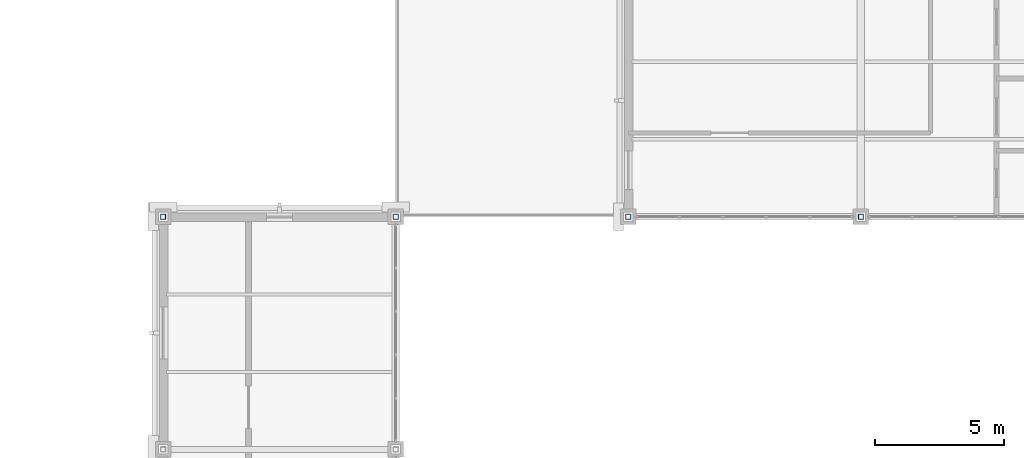
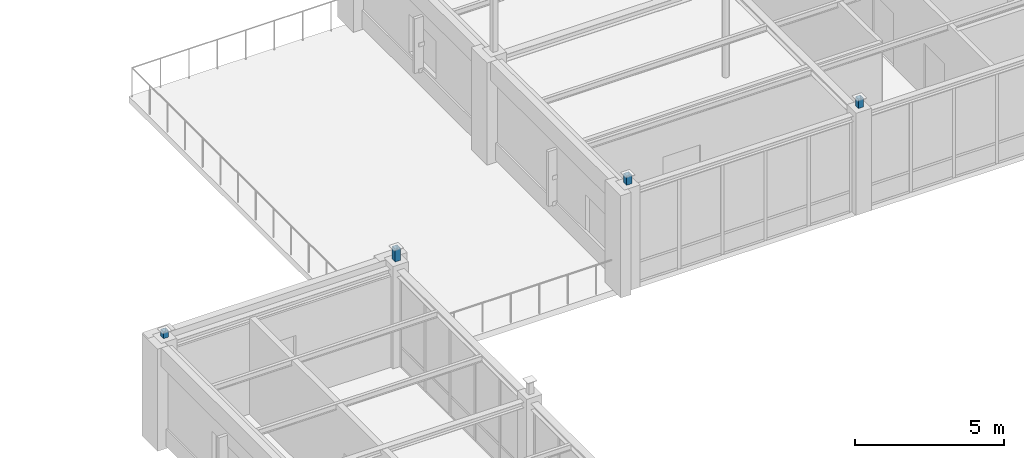
# One storey, part 69 of 97: 4 members.
"""IFC4 building model written with IfcOpenShell, lengths in metres."""

from ifc_helpers import new_model, si_unit, direction, frame, origin, origin_2d, place, context, subcontext, project, spatial, hollow_rectangle, extrude, material, material_profile, profile_set, type_object, element, save


model = new_model("IFC4")

# Units and contexts
model_context = context("Model", 3, precision=1e-05, world=origin(), true_north=direction((0.0, 1.0)))
body_context = subcontext(model_context, "Body", "Model", "MODEL_VIEW")
ifc_project = project(units=[si_unit("LENGTHUNIT", "METRE"), si_unit("AREAUNIT", "SQUARE_METRE"), si_unit("VOLUMEUNIT", "CUBIC_METRE"), si_unit("PLANEANGLEUNIT", "RADIAN"), si_unit("MASSUNIT", "GRAM", prefix="KILO")], contexts=[model_context])

# Site, building, storey
site_placement = place(None, origin())
site = spatial("IfcSite", under=ifc_project, at=site_placement, CompositionType="ELEMENT")
building_placement = place(site_placement, origin())
building = spatial("IfcBuilding", under=site, at=building_placement, Name="Lykobir Media Centre", CompositionType="ELEMENT")
storey_placement = place(building_placement, frame((0.0, 0.0, 23.39990234375)))
storey = spatial("IfcBuildingStorey", under=building, at=storey_placement, Name="L05", CompositionType="ELEMENT", Elevation=23.39990234375)

# Members
ifc_material = material(Name="Steel S355", Category="steel")
ifc_material_profile = material_profile(ifc_material, hollow_rectangle(XDim=0.199951171875, YDim=0.199951171875, WallThickness=0.010009765625, at=origin_2d()), Name="SHS 200x200x10")
ifc_profile_set = profile_set([ifc_material_profile], Name="Steel S355")
member_type = type_object("IfcMemberType", Name="TC-SHS200", PredefinedType="CHORD", material=ifc_profile_set)
member_1_placement = place(storey_placement, frame((90.0, 72.0, 4.2001953125), z_axis=(0.0, 0.0, 1.0), x_axis=(1.0, 0.0, 0.0)))
element("IfcMember", 1, at=member_1_placement, inside=storey, type_object=member_type, Name="Truss chord MEM2-L05-0900-0720-0276-0900-0720-0024", PredefinedType="CHORD", context=body_context, shape_type="SweptSolid", body=[
    extrude(hollow_rectangle(XDim=0.199951171875, YDim=0.199951171875, WallThickness=0.010009765625, at=origin_2d()), origin(), (0.0, 0.0, 1.0), 0.275146484375),
])
member_2_placement = place(storey_placement, frame((99.0, 72.0, 4.2001953125), z_axis=(0.0, 0.0, 1.0), x_axis=(1.0, 0.0, 0.0)))
element("IfcMember", 2, at=member_2_placement, inside=storey, type_object=member_type, Name="Truss chord MEM2-L05-0990-0720-0276-0990-0720-0030", PredefinedType="CHORD", context=body_context, shape_type="SweptSolid", body=[
    extrude(hollow_rectangle(XDim=0.199951171875, YDim=0.199951171875, WallThickness=0.010009765625, at=origin_2d()), origin(), (0.0, 0.0, 1.0), 0.530029296875),
])
for number, where, z_axis, x_axis, name in (
    (3, (108.0, 72.0, 4.2001953125), (0.0, 0.0, 1.0), (1.0, 0.0, 0.0), "Truss chord MEM2-L05-1080-0720-0276-1080-0720-0031"),
    (4, (117.0, 72.0, 4.2001953125), (0.0, 0.0, 1.0), (1.0, 0.0, 0.0), "Truss chord MEM2-L05-1170-0720-0276-1170-0720-0034"),
):
    element("IfcMember", number, at=place(storey_placement, frame(where, z_axis=z_axis, x_axis=x_axis)), inside=storey, type_object=member_type, Name=name, PredefinedType="CHORD", context=body_context, shape_type="SweptSolid", body=[
        extrude(hollow_rectangle(XDim=0.199951171875, YDim=0.199951171875, WallThickness=0.010009765625, at=origin_2d()), origin(), (0.0, 0.0, 1.0), 0.3798828125),
    ])

save(model, "model.ifc")
